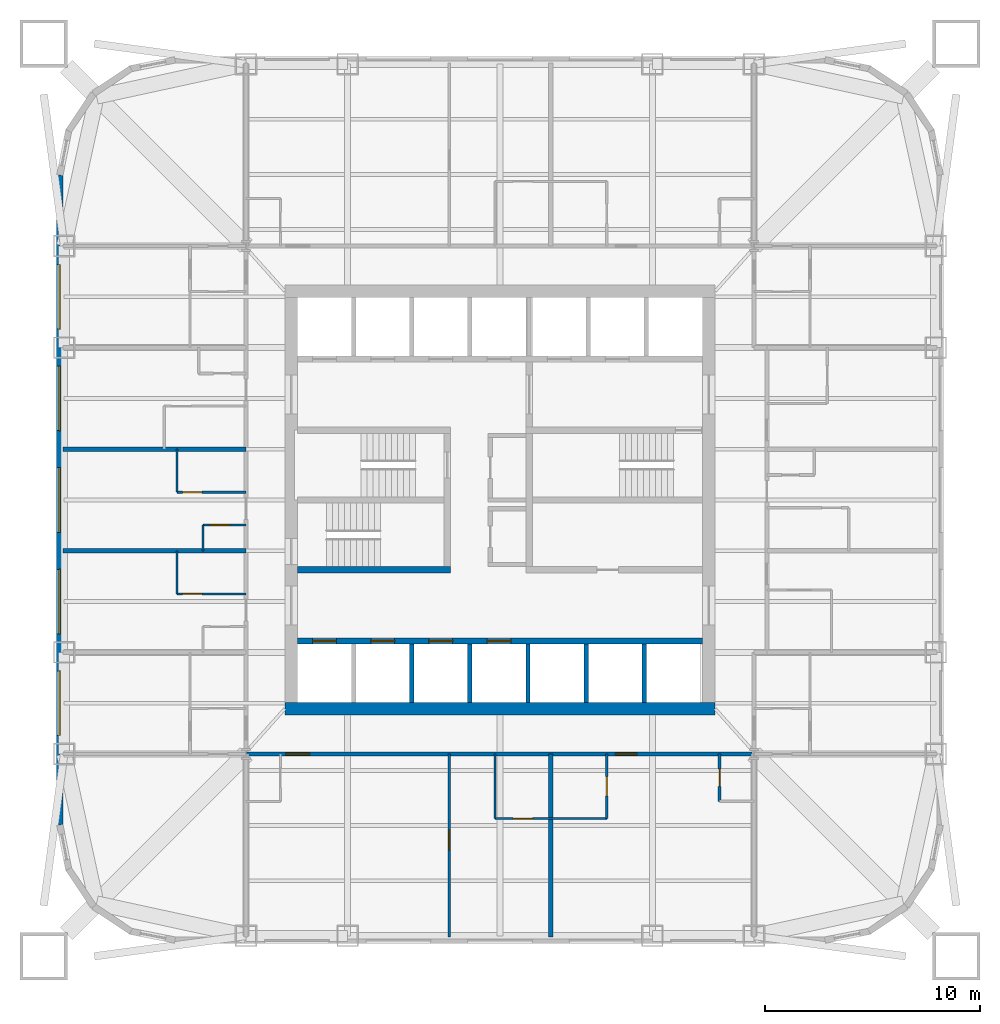
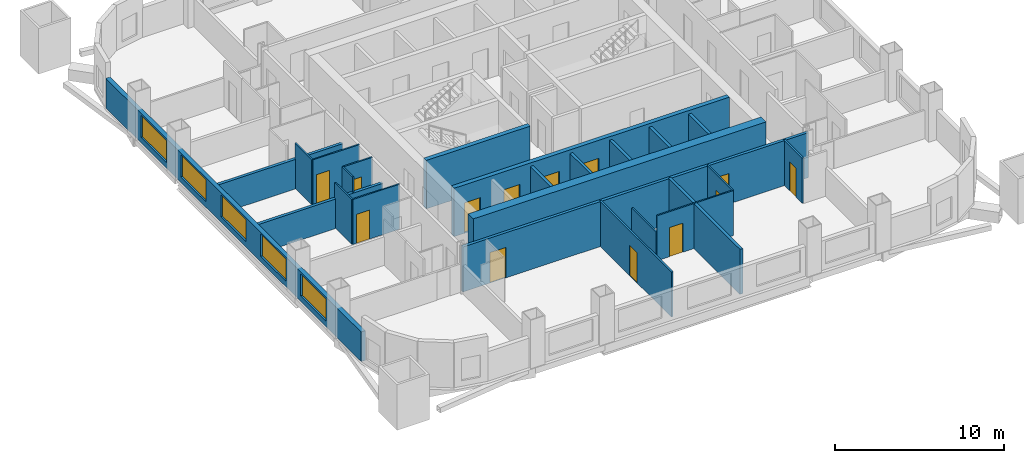
# One storey, part 3 of 8: 24 walls, 13 doors, 5 windows, 18 openings.
"""IFC4 building model written with IfcOpenShell, lengths in metres."""

from ifc_helpers import new_model, si_unit, direction, frame, frame_2d, origin, place, context, subcontext, project, spatial, rectangle, extrude, material, layer, layer_set, type_object, element, fill, save


model = new_model("IFC4")

# Units and contexts
model_context = context("Model", 3, precision=1e-05, world=origin(), true_north=direction((0.0, 1.0)))
body_context = subcontext(model_context, "Body", "Model", "MODEL_VIEW")
ifc_project = project(units=[si_unit("LENGTHUNIT", "METRE"), si_unit("AREAUNIT", "SQUARE_METRE"), si_unit("VOLUMEUNIT", "CUBIC_METRE"), si_unit("PLANEANGLEUNIT", "RADIAN"), si_unit("MASSUNIT", "GRAM", prefix="KILO")], contexts=[model_context])

# Site, building, storey
site_placement = place(None, origin())
site = spatial("IfcSite", under=ifc_project, at=site_placement, CompositionType="ELEMENT")
building_placement = place(site_placement, origin())
building = spatial("IfcBuilding", under=site, at=building_placement, Name="Turquesa Mirador Hotel Tower", CompositionType="ELEMENT")
storey_placement = place(building_placement, frame((0.0, 0.0, 152.89990234375)))
storey = spatial("IfcBuildingStorey", under=building, at=storey_placement, Name="L41", CompositionType="ELEMENT", Elevation=152.89990234375)

# Wall, opening, door
ifc_material_1 = material(Name="Gypsum board on steel studs", Category="steel")
ifc_layer_1 = layer(ifc_material_1, 0.10009765625)
ifc_layer_set_1 = layer_set([ifc_layer_1], Name="BATHROOM WALL 100")
wall_type_1 = type_object("IfcWallType", Name="BATHROOM WALL 100", PredefinedType="PARTITIONING", material=ifc_layer_set_1)
wall_1_placement = place(storey_placement, frame((41.199951171875, 43.840087890625, 0.0), z_axis=(0.0, 0.0, 1.0), x_axis=(1.0, 0.0, 0.0)))
wall_1 = element("IfcWall", 1, at=wall_1_placement, inside=storey, type_object=wall_type_1, Name="Partition L41 002", PredefinedType="PARTITIONING", context=body_context, shape_type="SweptSolid", body=[
    extrude(rectangle(XDim=2.0, YDim=0.10009765625, at=frame_2d((1.0, 0.0))), origin(), (0.0, 0.0, 1.0), 3.25),
])
opening_1_placement = place(wall_1_placement, frame((0.35009765625, 0.0, 0.0)))
opening_1 = element("IfcOpeningElement", 2, at=opening_1_placement, cuts=wall_1, Name="Opening D06", PredefinedType="OPENING", context=body_context, shape_type="SweptSolid", body=[
    extrude(rectangle(XDim=0.89990234375, YDim=2.10009765625, at=frame_2d((0.449951171875, 1.050048828125))), frame((0.0, 0.06005859375, 0.0), z_axis=(0.0, -1.0, 0.0), x_axis=(1.0, 0.0, 0.0)), (0.0, 0.0, 1.0), 0.1201171875),
])
ifc_material_2 = material(Name="Laminate door", Category="wood")
door_type_1 = type_object("IfcDoorType", Name="DOOR 900X2100 WC", OperationType="SINGLE_SWING_LEFT", PredefinedType="DOOR", material=ifc_material_2)
door_1_placement = place(opening_1_placement, origin())
door_1 = element("IfcDoor", 3, at=door_1_placement, inside=storey, type_object=door_type_1, Name="Door 4109W", OperationType="SINGLE_SWING_LEFT", OverallHeight=2.10009765625, OverallWidth=0.89990234375, PredefinedType="DOOR", context=body_context, shape_type="SweptSolid", body=[
    extrude(rectangle(XDim=0.89990234375, YDim=2.10009765625, at=frame_2d((0.449951171875, 1.050048828125))), frame((0.0, 0.02490234375, 0.0), z_axis=(0.0, -1.0, 0.0), x_axis=(1.0, 0.0, 0.0)), (0.0, 0.0, 1.0), 0.050048828125),
])
fill(opening_1, door_1)

wall_2_placement = place(storey_placement, frame((54.760009765625, 30.199951171875, 0.0), z_axis=(0.0, 0.0, 1.0), x_axis=(1.0, 0.0, 0.0)))
wall_2 = element("IfcWall", 4, at=wall_2_placement, inside=storey, type_object=wall_type_1, Name="Partition L41 008", PredefinedType="PARTITIONING", context=body_context, shape_type="SweptSolid", body=[
    extrude(rectangle(XDim=5.199951171875, YDim=0.10009765625, at=frame_2d((2.60009765625, 0.0))), origin(), (0.0, 0.0, 1.0), 3.25),
])
opening_2_placement = place(wall_2_placement, frame((0.85009765625, 0.0, 0.0)))
opening_2 = element("IfcOpeningElement", 5, at=opening_2_placement, cuts=wall_2, Name="Opening D02", PredefinedType="OPENING", context=body_context, shape_type="SweptSolid", body=[
    extrude(rectangle(XDim=0.89990234375, YDim=2.10009765625, at=frame_2d((0.449951171875, 1.050048828125))), frame((0.0, 0.06005859375, 0.0), z_axis=(0.0, -1.0, 0.0), x_axis=(1.0, 0.0, 0.0)), (0.0, 0.0, 1.0), 0.1201171875),
])
ifc_material_3 = material(Name="Timber veneered door", Category="wood")
door_type_2 = type_object("IfcDoorType", Name="DOOR 900X2100 EN-SUITE", OperationType="SINGLE_SWING_RIGHT", PredefinedType="DOOR", material=ifc_material_3)
door_2_placement = place(opening_2_placement, origin())
door_2 = element("IfcDoor", 6, at=door_2_placement, inside=storey, type_object=door_type_2, Name="Door 4103B", OperationType="SINGLE_SWING_RIGHT", OverallHeight=2.10009765625, OverallWidth=0.89990234375, PredefinedType="DOOR", context=body_context, shape_type="SweptSolid", body=[
    extrude(rectangle(XDim=0.89990234375, YDim=2.10009765625, at=frame_2d((0.449951171875, 1.050048828125))), frame((0.0, 0.02490234375, 0.0), z_axis=(0.0, -1.0, 0.0), x_axis=(1.0, 0.0, 0.0)), (0.0, 0.0, 1.0), 0.050048828125),
])
fill(opening_2, door_2)

wall_3_placement = place(storey_placement, frame((40.0, 40.639892578125, 0.0), z_axis=(0.0, 0.0, 1.0), x_axis=(1.0, 0.0, 0.0)))
wall_3 = element("IfcWall", 7, at=wall_3_placement, inside=storey, type_object=wall_type_1, Name="Partition L41 012", PredefinedType="PARTITIONING", context=body_context, shape_type="SweptSolid", body=[
    extrude(rectangle(XDim=3.199951171875, YDim=0.10009765625, at=frame_2d((1.60009765625, 0.0))), origin(), (0.0, 0.0, 1.0), 3.25),
])
opening_3_placement = place(wall_3_placement, frame((0.25, 0.0, 0.0)))
opening_3 = element("IfcOpeningElement", 8, at=opening_3_placement, cuts=wall_3, Name="Opening D02", PredefinedType="OPENING", context=body_context, shape_type="SweptSolid", body=[
    extrude(rectangle(XDim=0.89990234375, YDim=2.10009765625, at=frame_2d((0.449951171875, 1.050048828125))), frame((0.0, 0.06005859375, 0.0), z_axis=(0.0, -1.0, 0.0), x_axis=(1.0, 0.0, 0.0)), (0.0, 0.0, 1.0), 0.1201171875),
])
door_3_placement = place(opening_3_placement, origin())
door_3 = element("IfcDoor", 9, at=door_3_placement, inside=storey, type_object=door_type_2, Name="Door 4108B", OperationType="SINGLE_SWING_RIGHT", OverallHeight=2.10009765625, OverallWidth=0.89990234375, PredefinedType="DOOR", context=body_context, shape_type="SweptSolid", body=[
    extrude(rectangle(XDim=0.89990234375, YDim=2.10009765625, at=frame_2d((0.449951171875, 1.050048828125))), frame((0.0, 0.02490234375, 0.0), z_axis=(0.0, -1.0, 0.0), x_axis=(1.0, 0.0, 0.0)), (0.0, 0.0, 1.0), 0.050048828125),
])
fill(opening_3, door_3)

wall_4_placement = place(storey_placement, frame((40.0, 45.360107421875, 0.0), z_axis=(0.0, 0.0, 1.0), x_axis=(1.0, 0.0, 0.0)))
wall_4 = element("IfcWall", 10, at=wall_4_placement, inside=storey, type_object=wall_type_1, Name="Partition L41 019", PredefinedType="PARTITIONING", context=body_context, shape_type="SweptSolid", body=[
    extrude(rectangle(XDim=3.199951171875, YDim=0.10009765625, at=frame_2d((1.60009765625, 0.0))), origin(), (0.0, 0.0, 1.0), 3.25),
])
opening_4_placement = place(wall_4_placement, frame((0.25, 0.0, 0.0)))
opening_4 = element("IfcOpeningElement", 11, at=opening_4_placement, cuts=wall_4, Name="Opening D02", PredefinedType="OPENING", context=body_context, shape_type="SweptSolid", body=[
    extrude(rectangle(XDim=0.89990234375, YDim=2.10009765625, at=frame_2d((0.449951171875, 1.050048828125))), frame((0.0, 0.06005859375, 0.0), z_axis=(0.0, -1.0, 0.0), x_axis=(1.0, 0.0, 0.0)), (0.0, 0.0, 1.0), 0.1201171875),
])
door_4_placement = place(opening_4_placement, origin())
door_4 = element("IfcDoor", 12, at=door_4_placement, inside=storey, type_object=door_type_2, Name="Door 4109B", OperationType="SINGLE_SWING_RIGHT", OverallHeight=2.10009765625, OverallWidth=0.89990234375, PredefinedType="DOOR", context=body_context, shape_type="SweptSolid", body=[
    extrude(rectangle(XDim=0.89990234375, YDim=2.10009765625, at=frame_2d((0.449951171875, 1.050048828125))), frame((0.0, 0.02490234375, 0.0), z_axis=(0.0, -1.0, 0.0), x_axis=(1.0, 0.0, 0.0)), (0.0, 0.0, 1.0), 0.050048828125),
])
fill(opening_4, door_4)

# Walls
wall_5_placement = place(storey_placement, frame((54.760009765625, 30.199951171875, 0.0), z_axis=(0.0, 0.0, 1.0), x_axis=(0.0, 1.0, 0.0)))
element("IfcWall", 13, at=wall_5_placement, inside=storey, type_object=wall_type_1, Name="Partition L41 037", PredefinedType="PARTITIONING", context=body_context, shape_type="SweptSolid", body=[
    extrude(rectangle(XDim=3.0, YDim=0.10009765625, at=frame_2d((1.5, 0.0))), origin(), (0.0, 0.0, 1.0), 2.050048828125),
])
wall_6_placement = place(storey_placement, frame((41.199951171875, 42.639892578125, 0.0), z_axis=(0.0, 0.0, 1.0), x_axis=(0.0, 1.0, 0.0)))
element("IfcWall", 14, at=wall_6_placement, inside=storey, type_object=wall_type_1, Name="Partition L41 045", PredefinedType="PARTITIONING", context=body_context, shape_type="SweptSolid", body=[
    extrude(rectangle(XDim=1.2001953125, YDim=0.10009765625, at=frame_2d((0.60009765625, 0.0))), origin(), (0.0, 0.0, 1.0), 3.25),
])
for number, where, z_axis, x_axis, name in (
    (15, (40.0, 40.639892578125, 0.0), (0.0, 0.0, 1.0), (0.0, 1.0, 0.0), "Partition L41 051"),
    (16, (40.0, 45.360107421875, 0.0), (0.0, 0.0, 1.0), (0.0, 1.0, 0.0), "Partition L41 052"),
):
    element("IfcWall", number, at=place(storey_placement, frame(where, z_axis=z_axis, x_axis=x_axis)), inside=storey, type_object=wall_type_1, Name=name, PredefinedType="PARTITIONING", context=body_context, shape_type="SweptSolid", body=[
        extrude(rectangle(XDim=2.0, YDim=0.10009765625, at=frame_2d((1.0, 0.0))), origin(), (0.0, 0.0, 1.0), 3.25),
    ])

# Wall, opening, door
wall_7_placement = place(storey_placement, frame((59.9599609375, 30.199951171875, 0.0), z_axis=(0.0, 0.0, 1.0), x_axis=(0.0, 1.0, 0.0)))
wall_7 = element("IfcWall", 17, at=wall_7_placement, inside=storey, type_object=wall_type_1, Name="Partition L41 073", PredefinedType="PARTITIONING", context=body_context, shape_type="SweptSolid", body=[
    extrude(rectangle(XDim=3.0, YDim=0.10009765625, at=frame_2d((1.5, 0.0))), origin(), (0.0, 0.0, 1.0), 3.25),
])
opening_5_placement = place(wall_7_placement, frame((1.050048828125, 0.0, 0.0)))
opening_5 = element("IfcOpeningElement", 18, at=opening_5_placement, cuts=wall_7, Name="Opening D02", PredefinedType="OPENING", context=body_context, shape_type="SweptSolid", body=[
    extrude(rectangle(XDim=0.89990234375, YDim=2.10009765625, at=frame_2d((0.449951171875, 1.050048828125))), frame((0.0, 0.06005859375, 0.0), z_axis=(0.0, -1.0, 0.0), x_axis=(1.0, 0.0, 0.0)), (0.0, 0.0, 1.0), 0.1201171875),
])
door_5_placement = place(opening_5_placement, origin())
door_5 = element("IfcDoor", 19, at=door_5_placement, inside=storey, type_object=door_type_2, Name="Door 4104B", OperationType="SINGLE_SWING_RIGHT", OverallHeight=2.10009765625, OverallWidth=0.89990234375, PredefinedType="DOOR", context=body_context, shape_type="SweptSolid", body=[
    extrude(rectangle(XDim=0.89990234375, YDim=2.10009765625, at=frame_2d((0.449951171875, 1.050048828125))), frame((0.0, 0.02490234375, 0.0), z_axis=(0.0, -1.0, 0.0), x_axis=(1.0, 0.0, 0.0)), (0.0, 0.0, 1.0), 0.050048828125),
])
fill(opening_5, door_5)

# Wall, openings, doors
ifc_material_4 = material(Name="Concrete C50/60", Category="concrete")
ifc_layer_2 = layer(ifc_material_4, 0.300048828125)
ifc_layer_set_2 = layer_set([ifc_layer_2], Name="CORE INNER WALL 300")
wall_type_2 = type_object("IfcWallType", Name="CORE INNER WALL 300", PredefinedType="SHEAR", material=ifc_layer_set_2)
wall_8_placement = place(storey_placement, frame((45.60009765625, 38.449951171875, 0.0), z_axis=(0.0, 0.0, 1.0), x_axis=(1.0, 0.0, 0.0)))
wall_8 = element("IfcWall", 20, at=wall_8_placement, inside=storey, type_object=wall_type_2, Name="Core wall SL", PredefinedType="SHEAR", context=body_context, shape_type="SweptSolid", body=[
    extrude(rectangle(XDim=18.7998046875, YDim=0.300048828125, at=frame_2d((9.39990234375, 0.0))), origin(), (0.0, 0.0, 1.0), 3.5),
])
opening_6_placement = place(wall_8_placement, frame((0.699951171875, 0.0, 0.0)))
opening_6 = element("IfcOpeningElement", 21, at=opening_6_placement, cuts=wall_8, Name="Opening LD", PredefinedType="OPENING", context=body_context, shape_type="SweptSolid", body=[
    extrude(rectangle(XDim=1.10009765625, YDim=2.199951171875, at=frame_2d((0.550048828125, 1.10009765625))), frame((0.0, 0.159912109375, 0.0), z_axis=(0.0, -1.0, 0.0), x_axis=(1.0, 0.0, 0.0)), (0.0, 0.0, 1.0), 0.320068359375),
])
opening_7_placement = place(wall_8_placement, frame((3.39990234375, 0.0, 0.0)))
opening_7 = element("IfcOpeningElement", 22, at=opening_7_placement, cuts=wall_8, Name="Opening LD", PredefinedType="OPENING", context=body_context, shape_type="SweptSolid", body=[
    extrude(rectangle(XDim=1.10009765625, YDim=2.199951171875, at=frame_2d((0.550048828125, 1.10009765625))), frame((0.0, 0.159912109375, 0.0), z_axis=(0.0, -1.0, 0.0), x_axis=(1.0, 0.0, 0.0)), (0.0, 0.0, 1.0), 0.320068359375),
])
opening_8_placement = place(wall_8_placement, frame((6.10009765625, 0.0, 0.0)))
opening_8 = element("IfcOpeningElement", 23, at=opening_8_placement, cuts=wall_8, Name="Opening LD", PredefinedType="OPENING", context=body_context, shape_type="SweptSolid", body=[
    extrude(rectangle(XDim=1.10009765625, YDim=2.199951171875, at=frame_2d((0.550048828125, 1.10009765625))), frame((0.0, 0.159912109375, 0.0), z_axis=(0.0, -1.0, 0.0), x_axis=(1.0, 0.0, 0.0)), (0.0, 0.0, 1.0), 0.320068359375),
])
opening_9_placement = place(wall_8_placement, frame((8.800048828125, 0.0, 0.0)))
opening_9 = element("IfcOpeningElement", 24, at=opening_9_placement, cuts=wall_8, Name="Opening LD", PredefinedType="OPENING", context=body_context, shape_type="SweptSolid", body=[
    extrude(rectangle(XDim=1.10009765625, YDim=2.199951171875, at=frame_2d((0.550048828125, 1.10009765625))), frame((0.0, 0.159912109375, 0.0), z_axis=(0.0, -1.0, 0.0), x_axis=(1.0, 0.0, 0.0)), (0.0, 0.0, 1.0), 0.320068359375),
])
ifc_material_5 = material(Name="Stainless steel lift landing door", Category="steel")
door_type_3 = type_object("IfcDoorType", Name="LIFT LANDING DOOR 1100X2200", OperationType="SLIDING_TO_LEFT", PredefinedType="DOOR", material=ifc_material_5)
door_6_placement = place(opening_6_placement, origin())
door_6 = element("IfcDoor", 25, at=door_6_placement, inside=storey, type_object=door_type_3, Name="Lift B1 landing door", OperationType="SLIDING_TO_LEFT", OverallHeight=2.199951171875, OverallWidth=1.10009765625, PredefinedType="DOOR", context=body_context, shape_type="SweptSolid", body=[
    extrude(rectangle(XDim=1.10009765625, YDim=2.199951171875, at=frame_2d((0.550048828125, 1.10009765625))), frame((0.0, 0.02490234375, 0.0), z_axis=(0.0, -1.0, 0.0), x_axis=(1.0, 0.0, 0.0)), (0.0, 0.0, 1.0), 0.050048828125),
])
fill(opening_6, door_6)
door_7_placement = place(opening_7_placement, origin())
door_7 = element("IfcDoor", 26, at=door_7_placement, inside=storey, type_object=door_type_3, Name="Lift B2 landing door", OperationType="SLIDING_TO_LEFT", OverallHeight=2.199951171875, OverallWidth=1.10009765625, PredefinedType="DOOR", context=body_context, shape_type="SweptSolid", body=[
    extrude(rectangle(XDim=1.10009765625, YDim=2.199951171875, at=frame_2d((0.550048828125, 1.10009765625))), frame((0.0, 0.02490234375, 0.0), z_axis=(0.0, -1.0, 0.0), x_axis=(1.0, 0.0, 0.0)), (0.0, 0.0, 1.0), 0.050048828125),
])
fill(opening_7, door_7)
door_8_placement = place(opening_8_placement, origin())
door_8 = element("IfcDoor", 27, at=door_8_placement, inside=storey, type_object=door_type_3, Name="Lift B3 landing door", OperationType="SLIDING_TO_LEFT", OverallHeight=2.199951171875, OverallWidth=1.10009765625, PredefinedType="DOOR", context=body_context, shape_type="SweptSolid", body=[
    extrude(rectangle(XDim=1.10009765625, YDim=2.199951171875, at=frame_2d((0.550048828125, 1.10009765625))), frame((0.0, 0.02490234375, 0.0), z_axis=(0.0, -1.0, 0.0), x_axis=(1.0, 0.0, 0.0)), (0.0, 0.0, 1.0), 0.050048828125),
])
fill(opening_8, door_8)
door_9_placement = place(opening_9_placement, origin())
door_9 = element("IfcDoor", 28, at=door_9_placement, inside=storey, type_object=door_type_3, Name="Lift B4 landing door", OperationType="SLIDING_TO_LEFT", OverallHeight=2.199951171875, OverallWidth=1.10009765625, PredefinedType="DOOR", context=body_context, shape_type="SweptSolid", body=[
    extrude(rectangle(XDim=1.10009765625, YDim=2.199951171875, at=frame_2d((0.550048828125, 1.10009765625))), frame((0.0, 0.02490234375, 0.0), z_axis=(0.0, -1.0, 0.0), x_axis=(1.0, 0.0, 0.0)), (0.0, 0.0, 1.0), 0.050048828125),
])
fill(opening_9, door_9)

# Walls
wall_9_placement = place(storey_placement, frame((45.60009765625, 41.75, 0.0), z_axis=(0.0, 0.0, 1.0), x_axis=(1.0, 0.0, 0.0)))
element("IfcWall", 29, at=wall_9_placement, inside=storey, type_object=wall_type_2, Name="Core wall MS-W", PredefinedType="SHEAR", context=body_context, shape_type="SweptSolid", body=[
    extrude(rectangle(XDim=7.099853515625, YDim=0.300048828125, at=frame_2d((3.5498046875, 0.0))), origin(), (0.0, 0.0, 1.0), 3.5),
])
ifc_material_6 = material(Name="Concrete C50/60", Category="concrete")
ifc_layer_3 = layer(ifc_material_6, 0.60009765625)
ifc_layer_set_3 = layer_set([ifc_layer_3], Name="CORE WALL 600")
wall_type_3 = type_object("IfcWallType", Name="CORE WALL 600", PredefinedType="SHEAR", material=ifc_layer_set_3)
wall_10_placement = place(storey_placement, frame((45.0, 35.300048828125, 0.0), z_axis=(0.0, 0.0, 1.0), x_axis=(1.0, 0.0, 0.0)))
element("IfcWall", 30, at=wall_10_placement, inside=storey, type_object=wall_type_3, Name="Core wall S", PredefinedType="SHEAR", context=body_context, shape_type="SweptSolid", body=[
    extrude(rectangle(XDim=20.0, YDim=0.60009765625, at=frame_2d((10.0, 0.0))), origin(), (0.0, 0.0, 1.0), 3.5),
])

# Wall, openings, doors
ifc_material_7 = material(Name="Fire-rated gypsum board on steel studs", Category="steel")
ifc_layer_4 = layer(ifc_material_7, 0.199951171875)
ifc_layer_set_4 = layer_set([ifc_layer_4], Name="CORRIDOR WALL 200")
wall_type_4 = type_object("IfcWallType", Name="CORRIDOR WALL 200", PredefinedType="PARTITIONING", material=ifc_layer_set_4)
wall_11_placement = place(storey_placement, frame((43.199951171875, 33.199951171875, 0.0), z_axis=(0.0, 0.0, 1.0), x_axis=(1.0, 0.0, 0.0)))
wall_11 = element("IfcWall", 31, at=wall_11_placement, inside=storey, type_object=wall_type_4, Name="Partition L41 003", PredefinedType="PARTITIONING", context=body_context, shape_type="SweptSolid", body=[
    extrude(rectangle(XDim=23.60009765625, YDim=0.199951171875, at=frame_2d((11.800048828125, 0.0))), origin(), (0.0, 0.0, 1.0), 3.25),
])
opening_10_placement = place(wall_11_placement, frame((1.85009765625, 0.0, 0.0)))
opening_10 = element("IfcOpeningElement", 32, at=opening_10_placement, cuts=wall_11, Name="Opening D15", PredefinedType="OPENING", context=body_context, shape_type="SweptSolid", body=[
    extrude(rectangle(XDim=1.10009765625, YDim=2.199951171875, at=frame_2d((0.550048828125, 1.10009765625))), frame((0.0, 0.10986328125, 0.0), z_axis=(0.0, -1.0, 0.0), x_axis=(1.0, 0.0, 0.0)), (0.0, 0.0, 1.0), 0.219970703125),
])
opening_11_placement = place(wall_11_placement, frame((17.159912109375, 0.0, 0.0)))
opening_11 = element("IfcOpeningElement", 33, at=opening_11_placement, cuts=wall_11, Name="Opening D01", PredefinedType="OPENING", context=body_context, shape_type="SweptSolid", body=[
    extrude(rectangle(XDim=1.0, YDim=2.199951171875, at=frame_2d((0.5, 1.10009765625))), frame((0.0, 0.10986328125, 0.0), z_axis=(0.0, -1.0, 0.0), x_axis=(1.0, 0.0, 0.0)), (0.0, 0.0, 1.0), 0.219970703125),
])
ifc_material_8 = material(Name="Timber veneered fire door", Category="wood")
door_type_4 = type_object("IfcDoorType", Name="DOOR 1000X2200 GUEST ENTRY", OperationType="SINGLE_SWING_LEFT", PredefinedType="DOOR", material=ifc_material_8)
door_10_placement = place(opening_11_placement, origin())
door_10 = element("IfcDoor", 34, at=door_10_placement, inside=storey, type_object=door_type_4, Name="Door 4104", OperationType="SINGLE_SWING_LEFT", OverallHeight=2.199951171875, OverallWidth=1.0, PredefinedType="DOOR", context=body_context, shape_type="SweptSolid", body=[
    extrude(rectangle(XDim=1.0, YDim=2.199951171875, at=frame_2d((0.5, 1.10009765625))), frame((0.0, 0.02490234375, 0.0), z_axis=(0.0, -1.0, 0.0), x_axis=(1.0, 0.0, 0.0)), (0.0, 0.0, 1.0), 0.050048828125),
])
fill(opening_11, door_10)
ifc_material_9 = material(Name="Timber veneered fire door", Category="wood")
door_type_5 = type_object("IfcDoorType", Name="DOOR 1100X2200 SUITE ENTRY", OperationType="SINGLE_SWING_LEFT", PredefinedType="DOOR", material=ifc_material_9)
door_11_placement = place(opening_10_placement, origin())
door_11 = element("IfcDoor", 35, at=door_11_placement, inside=storey, type_object=door_type_5, Name="Door 4103", OperationType="SINGLE_SWING_LEFT", OverallHeight=2.199951171875, OverallWidth=1.10009765625, PredefinedType="DOOR", context=body_context, shape_type="SweptSolid", body=[
    extrude(rectangle(XDim=1.10009765625, YDim=2.199951171875, at=frame_2d((0.550048828125, 1.10009765625))), frame((0.0, 0.02490234375, 0.0), z_axis=(0.0, -1.0, 0.0), x_axis=(1.0, 0.0, 0.0)), (0.0, 0.0, 1.0), 0.050048828125),
])
fill(opening_10, door_11)

# Wall, openings, windows
ifc_material_10 = material(Name="Limestone cladding on concrete block", Category="masonry")
ifc_layer_5 = layer(ifc_material_10, 0.300048828125)
ifc_layer_set_5 = layer_set([ifc_layer_5], Name="FACADE WALL 300 STONE SCREEN")
wall_type_5 = type_object("IfcWallType", Name="FACADE WALL 300 STONE SCREEN", PredefinedType="SOLIDWALL", material=ifc_layer_set_5)
wall_12_placement = place(storey_placement, frame((34.550048828125, 60.10009765625, 0.0), z_axis=(0.0, 0.0, 1.0), x_axis=(0.0, -1.0, 0.0)))
wall_12 = element("IfcWall", 36, at=wall_12_placement, inside=storey, type_object=wall_type_5, Name="Facade wall L41 14", PredefinedType="SOLIDWALL", context=body_context, shape_type="SweptSolid", body=[
    extrude(rectangle(XDim=30.2001953125, YDim=0.300048828125, at=frame_2d((15.10009765625, 0.0))), origin(), (0.0, 0.0, 1.0), 2.132568359375),
])
opening_12_placement = place(wall_12_placement, frame((4.159912109375, 0.0, 0.39990234375)))
opening_12 = element("IfcOpeningElement", 37, at=opening_12_placement, cuts=wall_12, Name="Opening WN7", PredefinedType="OPENING", context=body_context, shape_type="SweptSolid", body=[
    extrude(rectangle(XDim=3.0, YDim=1.60009765625, at=frame_2d((1.5, 0.800048828125))), frame((0.0, 0.159912109375, 0.0), z_axis=(0.0, -1.0, 0.0), x_axis=(1.0, 0.0, 0.0)), (0.0, 0.0, 1.0), 0.320068359375),
])
opening_13_placement = place(wall_12_placement, frame((8.8798828125, 0.0, 0.39990234375)))
opening_13 = element("IfcOpeningElement", 38, at=opening_13_placement, cuts=wall_12, Name="Opening WN7", PredefinedType="OPENING", context=body_context, shape_type="SweptSolid", body=[
    extrude(rectangle(XDim=3.0, YDim=1.60009765625, at=frame_2d((1.5, 0.800048828125))), frame((0.0, 0.159912109375, 0.0), z_axis=(0.0, -1.0, 0.0), x_axis=(1.0, 0.0, 0.0)), (0.0, 0.0, 1.0), 0.320068359375),
])
opening_14_placement = place(wall_12_placement, frame((13.60009765625, 0.0, 0.39990234375)))
opening_14 = element("IfcOpeningElement", 39, at=opening_14_placement, cuts=wall_12, Name="Opening WN7", PredefinedType="OPENING", context=body_context, shape_type="SweptSolid", body=[
    extrude(rectangle(XDim=3.0, YDim=1.60009765625, at=frame_2d((1.5, 0.800048828125))), frame((0.0, 0.159912109375, 0.0), z_axis=(0.0, -1.0, 0.0), x_axis=(1.0, 0.0, 0.0)), (0.0, 0.0, 1.0), 0.320068359375),
])
opening_15_placement = place(wall_12_placement, frame((18.320068359375, 0.0, 0.39990234375)))
opening_15 = element("IfcOpeningElement", 40, at=opening_15_placement, cuts=wall_12, Name="Opening WN7", PredefinedType="OPENING", context=body_context, shape_type="SweptSolid", body=[
    extrude(rectangle(XDim=3.0, YDim=1.60009765625, at=frame_2d((1.5, 0.800048828125))), frame((0.0, 0.159912109375, 0.0), z_axis=(0.0, -1.0, 0.0), x_axis=(1.0, 0.0, 0.0)), (0.0, 0.0, 1.0), 0.320068359375),
])
opening_16_placement = place(wall_12_placement, frame((23.0400390625, 0.0, 0.39990234375)))
opening_16 = element("IfcOpeningElement", 41, at=opening_16_placement, cuts=wall_12, Name="Opening WN7", PredefinedType="OPENING", context=body_context, shape_type="SweptSolid", body=[
    extrude(rectangle(XDim=3.0, YDim=1.60009765625, at=frame_2d((1.5, 0.800048828125))), frame((0.0, 0.159912109375, 0.0), z_axis=(0.0, -1.0, 0.0), x_axis=(1.0, 0.0, 0.0)), (0.0, 0.0, 1.0), 0.320068359375),
])
ifc_material_11 = material(Name="Ceramic-fritted laminated glass", Category="glass")
window_type = type_object("IfcWindowType", Name="FRITTED WINDOW 3000X1600", PartitioningType="DOUBLE_PANEL_HORIZONTAL", PredefinedType="WINDOW", material=ifc_material_11)
window_1_placement = place(opening_12_placement, origin())
window_1 = element("IfcWindow", 42, at=window_1_placement, inside=storey, type_object=window_type, Name="Window L41", OverallHeight=1.60009765625, OverallWidth=3.0, PartitioningType="SINGLE_PANEL", PredefinedType="WINDOW", context=body_context, shape_type="SweptSolid", body=[
    extrude(rectangle(XDim=3.0, YDim=1.60009765625, at=frame_2d((1.5, 0.800048828125))), frame((0.0, 0.030029296875, 0.0), z_axis=(0.0, -1.0, 0.0), x_axis=(1.0, 0.0, 0.0)), (0.0, 0.0, 1.0), 0.06005859375),
])
fill(opening_12, window_1)
window_2_placement = place(opening_13_placement, origin())
window_2 = element("IfcWindow", 43, at=window_2_placement, inside=storey, type_object=window_type, Name="Window L41", OverallHeight=1.60009765625, OverallWidth=3.0, PartitioningType="SINGLE_PANEL", PredefinedType="WINDOW", context=body_context, shape_type="SweptSolid", body=[
    extrude(rectangle(XDim=3.0, YDim=1.60009765625, at=frame_2d((1.5, 0.800048828125))), frame((0.0, 0.030029296875, 0.0), z_axis=(0.0, -1.0, 0.0), x_axis=(1.0, 0.0, 0.0)), (0.0, 0.0, 1.0), 0.06005859375),
])
fill(opening_13, window_2)
window_3_placement = place(opening_14_placement, origin())
window_3 = element("IfcWindow", 44, at=window_3_placement, inside=storey, type_object=window_type, Name="Window L41", OverallHeight=1.60009765625, OverallWidth=3.0, PartitioningType="SINGLE_PANEL", PredefinedType="WINDOW", context=body_context, shape_type="SweptSolid", body=[
    extrude(rectangle(XDim=3.0, YDim=1.60009765625, at=frame_2d((1.5, 0.800048828125))), frame((0.0, 0.030029296875, 0.0), z_axis=(0.0, -1.0, 0.0), x_axis=(1.0, 0.0, 0.0)), (0.0, 0.0, 1.0), 0.06005859375),
])
fill(opening_14, window_3)
window_4_placement = place(opening_15_placement, origin())
window_4 = element("IfcWindow", 45, at=window_4_placement, inside=storey, type_object=window_type, Name="Window L41", OverallHeight=1.60009765625, OverallWidth=3.0, PartitioningType="SINGLE_PANEL", PredefinedType="WINDOW", context=body_context, shape_type="SweptSolid", body=[
    extrude(rectangle(XDim=3.0, YDim=1.60009765625, at=frame_2d((1.5, 0.800048828125))), frame((0.0, 0.030029296875, 0.0), z_axis=(0.0, -1.0, 0.0), x_axis=(1.0, 0.0, 0.0)), (0.0, 0.0, 1.0), 0.06005859375),
])
fill(opening_15, window_4)
window_5_placement = place(opening_16_placement, origin())
window_5 = element("IfcWindow", 46, at=window_5_placement, inside=storey, type_object=window_type, Name="Window L41", OverallHeight=1.60009765625, OverallWidth=3.0, PartitioningType="SINGLE_PANEL", PredefinedType="WINDOW", context=body_context, shape_type="SweptSolid", body=[
    extrude(rectangle(XDim=3.0, YDim=1.60009765625, at=frame_2d((1.5, 0.800048828125))), frame((0.0, 0.030029296875, 0.0), z_axis=(0.0, -1.0, 0.0), x_axis=(1.0, 0.0, 0.0)), (0.0, 0.0, 1.0), 0.06005859375),
])
fill(opening_16, window_5)

# Walls
ifc_material_12 = material(Name="Fire-rated gypsum shaft wall on steel studs", Category="steel")
ifc_layer_6 = layer(ifc_material_12, 0.199951171875)
ifc_layer_set_6 = layer_set([ifc_layer_6], Name="LIFT SHAFT DIVIDER 200")
wall_type_6 = type_object("IfcWallType", Name="LIFT SHAFT DIVIDER 200", PredefinedType="PARTITIONING", material=ifc_layer_set_6)
for number, where, z_axis, x_axis, name in (
    (47, (50.89990234375, 35.60009765625, 0.0), (0.0, 0.0, 1.0), (0.0, 1.0, 0.0), "Lift shaft divider"),
    (48, (53.60009765625, 35.60009765625, 0.0), (0.0, 0.0, 1.0), (0.0, 1.0, 0.0), "Lift shaft divider"),
    (49, (56.300048828125, 35.60009765625, 0.0), (0.0, 0.0, 1.0), (0.0, 1.0, 0.0), "Lift shaft divider"),
    (50, (59.0, 35.60009765625, 0.0), (0.0, 0.0, 1.0), (0.0, 1.0, 0.0), "Lift shaft divider"),
    (51, (61.699951171875, 35.60009765625, 0.0), (0.0, 0.0, 1.0), (0.0, 1.0, 0.0), "Lift shaft divider"),
):
    element("IfcWall", number, at=place(storey_placement, frame(where, z_axis=z_axis, x_axis=x_axis)), inside=storey, type_object=wall_type_6, Name=name, PredefinedType="PARTITIONING", context=body_context, shape_type="SweptSolid", body=[
        extrude(rectangle(XDim=2.699951171875, YDim=0.199951171875, at=frame_2d((1.35009765625, 0.0))), origin(), (0.0, 0.0, 1.0), 3.25),
    ])
ifc_material_13 = material(Name="Fire-rated gypsum board on steel studs", Category="steel")
ifc_layer_7 = layer(ifc_material_13, 0.199951171875)
ifc_layer_set_7 = layer_set([ifc_layer_7], Name="PARTY WALL 200")
wall_type_7 = type_object("IfcWallType", Name="PARTY WALL 200", PredefinedType="PARTITIONING", material=ifc_layer_set_7)
for number, where, z_axis, x_axis, name in (
    (52, (34.699951171875, 42.639892578125, 0.0), (0.0, 0.0, 1.0), (1.0, 0.0, 0.0), "Partition L41 009"),
    (53, (34.699951171875, 47.360107421875, 0.0), (0.0, 0.0, 1.0), (1.0, 0.0, 0.0), "Partition L41 027"),
):
    element("IfcWall", number, at=place(storey_placement, frame(where, z_axis=z_axis, x_axis=x_axis)), inside=storey, type_object=wall_type_7, Name=name, PredefinedType="PARTITIONING", context=body_context, shape_type="SweptSolid", body=[
        extrude(rectangle(XDim=8.5, YDim=0.199951171875, at=frame_2d((4.25, 0.0))), origin(), (0.0, 0.0, 1.0), 2.132568359375),
    ])
wall_13_placement = place(storey_placement, frame((57.360107421875, 24.699951171875, 0.0), z_axis=(0.0, 0.0, 1.0), x_axis=(0.0, 1.0, 0.0)))
element("IfcWall", 54, at=wall_13_placement, inside=storey, type_object=wall_type_7, Name="Partition L41 071", PredefinedType="PARTITIONING", context=body_context, shape_type="SweptSolid", body=[
    extrude(rectangle(XDim=8.5, YDim=0.199951171875, at=frame_2d((4.25, 0.0))), origin(), (0.0, 0.0, 1.0), 3.25),
])

# Wall, opening, door
ifc_material_14 = material(Name="Acoustic gypsum board on steel studs", Category="steel")
ifc_layer_8 = layer(ifc_material_14, 0.125)
ifc_layer_set_8 = layer_set([ifc_layer_8], Name="SUITE PARTITION 125")
wall_type_8 = type_object("IfcWallType", Name="SUITE PARTITION 125", PredefinedType="PARTITIONING", material=ifc_layer_set_8)
wall_14_placement = place(storey_placement, frame((52.639892578125, 24.699951171875, 0.0), z_axis=(0.0, 0.0, 1.0), x_axis=(0.0, 1.0, 0.0)))
wall_14 = element("IfcWall", 55, at=wall_14_placement, inside=storey, type_object=wall_type_8, Name="Partition L41 054", PredefinedType="PARTITIONING", context=body_context, shape_type="SweptSolid", body=[
    extrude(rectangle(XDim=8.5, YDim=0.125, at=frame_2d((4.25, 0.0))), origin(), (0.0, 0.0, 1.0), 3.25),
])
opening_17_placement = place(wall_14_placement, frame((4.050048828125, 0.0, 0.0)))
opening_17 = element("IfcOpeningElement", 56, at=opening_17_placement, cuts=wall_14, Name="Opening D17", PredefinedType="OPENING", context=body_context, shape_type="SweptSolid", body=[
    extrude(rectangle(XDim=0.89990234375, YDim=2.199951171875, at=frame_2d((0.449951171875, 1.10009765625))), frame((0.0, 0.072509765625, 0.0), z_axis=(0.0, -1.0, 0.0), x_axis=(1.0, 0.0, 0.0)), (0.0, 0.0, 1.0), 0.14501953125),
])
ifc_material_15 = material(Name="Timber veneered door", Category="wood")
door_type_6 = type_object("IfcDoorType", Name="DOOR 900X2200 SUITE INTERNAL", OperationType="SINGLE_SWING_LEFT", PredefinedType="DOOR", material=ifc_material_15)
door_12_placement = place(opening_17_placement, origin())
door_12 = element("IfcDoor", 57, at=door_12_placement, inside=storey, type_object=door_type_6, Name="Door 4103R", OperationType="SINGLE_SWING_LEFT", OverallHeight=2.199951171875, OverallWidth=0.89990234375, PredefinedType="DOOR", context=body_context, shape_type="SweptSolid", body=[
    extrude(rectangle(XDim=0.89990234375, YDim=2.199951171875, at=frame_2d((0.449951171875, 1.10009765625))), frame((0.0, 0.02490234375, 0.0), z_axis=(0.0, -1.0, 0.0), x_axis=(1.0, 0.0, 0.0)), (0.0, 0.0, 1.0), 0.050048828125),
])
fill(opening_17, door_12)

wall_15_placement = place(storey_placement, frame((65.199951171875, 31.0, 0.0), z_axis=(0.0, 0.0, 1.0), x_axis=(0.0, 1.0, 0.0)))
wall_15 = element("IfcWall", 58, at=wall_15_placement, inside=storey, type_object=wall_type_8, Name="Partition L41 056", PredefinedType="PARTITIONING", context=body_context, shape_type="SweptSolid", body=[
    extrude(rectangle(XDim=2.199951171875, YDim=0.125, at=frame_2d((1.10009765625, 0.0))), origin(), (0.0, 0.0, 1.0), 3.25),
])
opening_18_placement = place(wall_15_placement, frame((0.699951171875, 0.0, 0.0)))
opening_18 = element("IfcOpeningElement", 59, at=opening_18_placement, cuts=wall_15, Name="Opening D20", PredefinedType="OPENING", context=body_context, shape_type="SweptSolid", body=[
    extrude(rectangle(XDim=0.800048828125, YDim=2.10009765625, at=frame_2d((0.39990234375, 1.050048828125))), frame((0.0, 0.072509765625, 0.0), z_axis=(0.0, -1.0, 0.0), x_axis=(1.0, 0.0, 0.0)), (0.0, 0.0, 1.0), 0.14501953125),
])
ifc_material_16 = material(Name="Timber veneered sliding door", Category="wood")
door_type_7 = type_object("IfcDoorType", Name="DOOR 800X2100 WARDROBE", OperationType="SLIDING_TO_LEFT", PredefinedType="DOOR", material=ifc_material_16)
door_13_placement = place(opening_18_placement, origin())
door_13 = element("IfcDoor", 60, at=door_13_placement, inside=storey, type_object=door_type_7, Name="Door 4104W", OperationType="SLIDING_TO_LEFT", OverallHeight=2.10009765625, OverallWidth=0.800048828125, PredefinedType="DOOR", context=body_context, shape_type="SweptSolid", body=[
    extrude(rectangle(XDim=0.800048828125, YDim=2.10009765625, at=frame_2d((0.39990234375, 1.050048828125))), frame((0.0, 0.02490234375, 0.0), z_axis=(0.0, -1.0, 0.0), x_axis=(1.0, 0.0, 0.0)), (0.0, 0.0, 1.0), 0.050048828125),
])
fill(opening_18, door_13)

save(model, "model.ifc")
